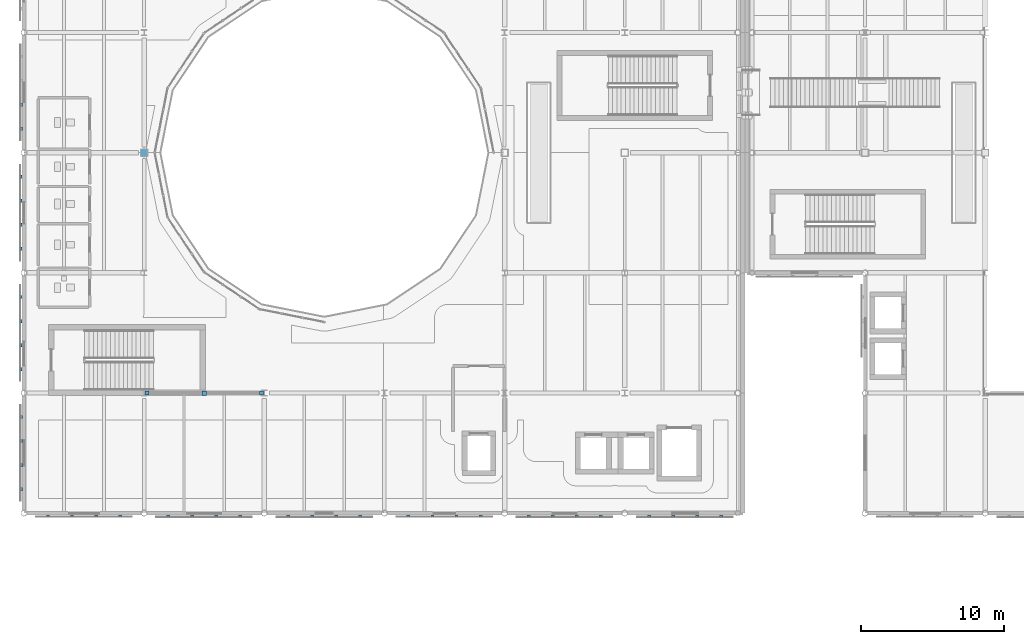
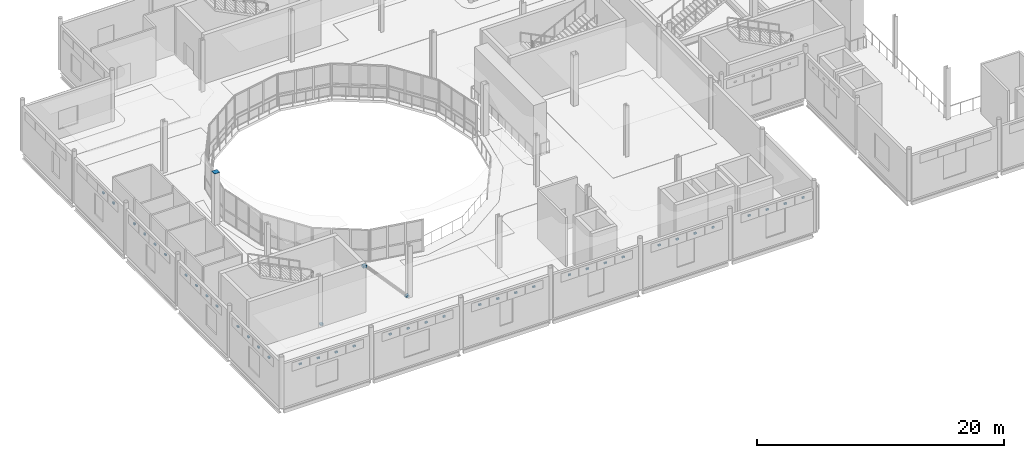
# One storey, part 76 of 104: 42 discrete accessories.
"""IFC4 building model written with IfcOpenShell, lengths in metres."""

from ifc_helpers import new_model, si_unit, direction, frame, origin, origin_2d, place, context, subcontext, project, spatial, rectangle, extrude, material, type_object, element, save


model = new_model("IFC4")

# Units and contexts
model_context = context("Model", 3, precision=1e-05, world=origin(), true_north=direction((0.0, 1.0)))
body_context = subcontext(model_context, "Body", "Model", "MODEL_VIEW")
ifc_project = project(units=[si_unit("LENGTHUNIT", "METRE"), si_unit("AREAUNIT", "SQUARE_METRE"), si_unit("VOLUMEUNIT", "CUBIC_METRE"), si_unit("PLANEANGLEUNIT", "RADIAN"), si_unit("MASSUNIT", "GRAM", prefix="KILO"), si_unit("THERMODYNAMICTEMPERATUREUNIT", "KELVIN")], contexts=[model_context])

# Site, building, storey
site_placement = place(None, origin())
site = spatial("IfcSite", under=ifc_project, at=site_placement, CompositionType="ELEMENT")
building_placement = place(site_placement, origin())
building = spatial("IfcBuilding", under=site, at=building_placement, Name="Lustrewick Department Store", CompositionType="ELEMENT")
storey_placement = place(building_placement, frame((0.0, 0.0, 11.39990234375)))
storey = spatial("IfcBuildingStorey", under=building, at=storey_placement, Name="L03", CompositionType="ELEMENT", Elevation=11.39990234375)

# Discrete accessories
ifc_material_1 = material(Name="Anodized filigree aluminium 6061-T6", Category="aluminium")
discrete_accessory_type_1 = type_object("IfcDiscreteAccessoryType", Name="BRK-FIL", PredefinedType="BRACKET", material=ifc_material_1)
for number, where, z_axis, x_axis, name in (
    (1, (8.219970703125, 70.5673828125, 3.9072265625), (0.0, 0.0, 1.0), (0.0, -1.0, 0.0), "L03 Filigree Stand-Off Bracket 0243"),
    (2, (8.219970703125, 68.88720703125, 3.9072265625), (0.0, 0.0, 1.0), (0.0, -1.0, 0.0), "L03 Filigree Stand-Off Bracket 0244"),
    (3, (8.2099609375, 65.52001953125, 3.9072265625), (0.0, 0.0, 1.0), (0.0, -1.0, 0.0), "L03 Filigree Stand-Off Bracket 0245"),
    (4, (8.2099609375, 63.840087890625, 3.9072265625), (0.0, 0.0, 1.0), (0.0, -1.0, 0.0), "L03 Filigree Stand-Off Bracket 0246"),
    (5, (8.2099609375, 62.159912109375, 3.9072265625), (0.0, 0.0, 1.0), (0.0, -1.0, 0.0), "L03 Filigree Stand-Off Bracket 0247"),
    (6, (8.2099609375, 60.47998046875, 3.9072265625), (0.0, 0.0, 1.0), (0.0, -1.0, 0.0), "L03 Filigree Stand-Off Bracket 0248"),
    (7, (8.199951171875, 57.11279296875, 3.9072265625), (0.0, 0.0, 1.0), (0.0, -1.0, 0.0), "L03 Filigree Stand-Off Bracket 0249"),
    (8, (8.199951171875, 55.4326171875, 3.9072265625), (0.0, 0.0, 1.0), (0.0, -1.0, 0.0), "L03 Filigree Stand-Off Bracket 0250"),
    (9, (8.199951171875, 53.752685546875, 3.9072265625), (0.0, 0.0, 1.0), (0.0, -1.0, 0.0), "L03 Filigree Stand-Off Bracket 0251"),
    (10, (8.199951171875, 52.07275390625, 3.9072265625), (0.0, 0.0, 1.0), (0.0, -1.0, 0.0), "L03 Filigree Stand-Off Bracket 0252"),
    (11, (8.219970703125, 48.727294921875, 3.9072265625), (0.0, 0.0, 1.0), (0.0, -1.0, 0.0), "L03 Filigree Stand-Off Bracket 0253"),
    (12, (8.219970703125, 47.04736328125, 3.9072265625), (0.0, 0.0, 1.0), (0.0, -1.0, 0.0), "L03 Filigree Stand-Off Bracket 0254"),
    (13, (8.219970703125, 45.3671875, 3.9072265625), (0.0, 0.0, 1.0), (0.0, -1.0, 0.0), "L03 Filigree Stand-Off Bracket 0255"),
    (14, (8.219970703125, 43.687255859375, 3.9072265625), (0.0, 0.0, 1.0), (0.0, -1.0, 0.0), "L03 Filigree Stand-Off Bracket 0256"),
    (15, (10.080078125, 41.820068359375, 3.7509765625), (0.0, 0.0, 1.0), (1.0, 0.0, 0.0), "L03 Filigree Stand-Off Bracket 0257"),
    (16, (11.760009765625, 41.820068359375, 3.7509765625), (0.0, 0.0, 1.0), (1.0, 0.0, 0.0), "L03 Filigree Stand-Off Bracket 0258"),
    (17, (13.43994140625, 41.820068359375, 3.7509765625), (0.0, 0.0, 1.0), (1.0, 0.0, 0.0), "L03 Filigree Stand-Off Bracket 0259"),
    (18, (15.1201171875, 41.820068359375, 3.7509765625), (0.0, 0.0, 1.0), (1.0, 0.0, 0.0), "L03 Filigree Stand-Off Bracket 0260"),
    (19, (18.47998046875, 41.81005859375, 3.7509765625), (0.0, 0.0, 1.0), (1.0, 0.0, 0.0), "L03 Filigree Stand-Off Bracket 0261"),
    (20, (20.159912109375, 41.81005859375, 3.7509765625), (0.0, 0.0, 1.0), (1.0, 0.0, 0.0), "L03 Filigree Stand-Off Bracket 0262"),
    (21, (21.840087890625, 41.81005859375, 3.7509765625), (0.0, 0.0, 1.0), (1.0, 0.0, 0.0), "L03 Filigree Stand-Off Bracket 0263"),
    (22, (23.52001953125, 41.81005859375, 3.7509765625), (0.0, 0.0, 1.0), (1.0, 0.0, 0.0), "L03 Filigree Stand-Off Bracket 0264"),
    (23, (26.8798828125, 41.800048828125, 3.7509765625), (0.0, 0.0, 1.0), (1.0, 0.0, 0.0), "L03 Filigree Stand-Off Bracket 0265"),
    (24, (28.56005859375, 41.800048828125, 3.7509765625), (0.0, 0.0, 1.0), (1.0, 0.0, 0.0), "L03 Filigree Stand-Off Bracket 0266"),
    (25, (30.239990234375, 41.800048828125, 3.7509765625), (0.0, 0.0, 1.0), (1.0, 0.0, 0.0), "L03 Filigree Stand-Off Bracket 0267"),
    (26, (31.919921875, 41.800048828125, 3.7509765625), (0.0, 0.0, 1.0), (1.0, 0.0, 0.0), "L03 Filigree Stand-Off Bracket 0268"),
    (27, (35.280029296875, 41.820068359375, 3.7509765625), (0.0, 0.0, 1.0), (1.0, 0.0, 0.0), "L03 Filigree Stand-Off Bracket 0269"),
    (28, (36.9599609375, 41.820068359375, 3.7509765625), (0.0, 0.0, 1.0), (1.0, 0.0, 0.0), "L03 Filigree Stand-Off Bracket 0270"),
    (29, (38.639892578125, 41.820068359375, 3.7509765625), (0.0, 0.0, 1.0), (1.0, 0.0, 0.0), "L03 Filigree Stand-Off Bracket 0271"),
    (30, (40.320068359375, 41.820068359375, 3.7509765625), (0.0, 0.0, 1.0), (1.0, 0.0, 0.0), "L03 Filigree Stand-Off Bracket 0272"),
    (31, (43.679931640625, 41.81005859375, 3.7509765625), (0.0, 0.0, 1.0), (1.0, 0.0, 0.0), "L03 Filigree Stand-Off Bracket 0273"),
    (32, (45.360107421875, 41.81005859375, 3.7509765625), (0.0, 0.0, 1.0), (1.0, 0.0, 0.0), "L03 Filigree Stand-Off Bracket 0274"),
    (33, (47.0400390625, 41.81005859375, 3.7509765625), (0.0, 0.0, 1.0), (1.0, 0.0, 0.0), "L03 Filigree Stand-Off Bracket 0275"),
    (34, (48.719970703125, 41.81005859375, 3.7509765625), (0.0, 0.0, 1.0), (1.0, 0.0, 0.0), "L03 Filigree Stand-Off Bracket 0276"),
    (35, (52.10400390625, 41.800048828125, 3.7509765625), (0.0, 0.0, 1.0), (1.0, 0.0, 0.0), "L03 Filigree Stand-Off Bracket 0277"),
    (36, (53.783935546875, 41.800048828125, 3.7509765625), (0.0, 0.0, 1.0), (1.0, 0.0, 0.0), "L03 Filigree Stand-Off Bracket 0278"),
    (37, (55.464111328125, 41.800048828125, 3.7509765625), (0.0, 0.0, 1.0), (1.0, 0.0, 0.0), "L03 Filigree Stand-Off Bracket 0279"),
    (38, (57.14404296875, 41.800048828125, 3.7509765625), (0.0, 0.0, 1.0), (1.0, 0.0, 0.0), "L03 Filigree Stand-Off Bracket 0280"),
):
    element("IfcDiscreteAccessory", number, at=place(storey_placement, frame(where, z_axis=z_axis, x_axis=x_axis)), inside=storey, type_object=discrete_accessory_type_1, Name=name, PredefinedType="BRACKET", context=body_context, shape_type="SweptSolid", body=[
        extrude(rectangle(XDim=0.239990234375, YDim=0.139892578125, at=origin_2d()), origin(), (0.0, 0.0, 1.0), 0.159912109375),
    ])
ifc_material_2 = material(Name="Structural steel Q355C", Category="steel")
discrete_accessory_type_2 = type_object("IfcDiscreteAccessoryType", Name="GUS-NODE", PredefinedType="BRACKET", material=ifc_material_2)
for number, where, z_axis, x_axis, name in (
    (39, (16.993896484375, 50.39990234375, 0.06005859375), (0.0, 0.0, 1.0), (1.0, 0.0, 0.0), "L03 V1 Brace Base Gusset Plate"),
    (40, (25.006103515625, 50.39990234375, 0.06005859375), (0.0, 0.0, 1.0), (1.0, 0.0, 0.0), "L03 V1 Brace Base Gusset Plate"),
):
    element("IfcDiscreteAccessory", number, at=place(storey_placement, frame(where, z_axis=z_axis, x_axis=x_axis)), inside=storey, type_object=discrete_accessory_type_2, Name=name, PredefinedType="BRACKET", context=body_context, shape_type="SweptSolid", body=[
        extrude(rectangle(XDim=0.280029296875, YDim=0.280029296875, at=origin_2d()), origin(), (0.0, 0.0, 1.0), 0.179931640625),
    ])
discrete_accessory_1_placement = place(storey_placement, frame((21.0, 50.39990234375, 4.38525390625), z_axis=(0.0, 0.0, 1.0), x_axis=(1.0, 0.0, 0.0)))
element("IfcDiscreteAccessory", 41, at=discrete_accessory_1_placement, inside=storey, type_object=discrete_accessory_type_2, Name="L03 V1 Chevron Brace Apex Gusset Plate", PredefinedType="BRACKET", context=body_context, shape_type="SweptSolid", body=[
    extrude(rectangle(XDim=0.320068359375, YDim=0.320068359375, at=origin_2d()), origin(), (0.0, 0.0, 1.0), 0.219970703125),
])
discrete_accessory_type_3 = type_object("IfcDiscreteAccessoryType", Name="ECP-01", PredefinedType="USERDEFINED", material=ifc_material_2)
discrete_accessory_2_placement = place(storey_placement, frame((16.800048828125, 67.199951171875, 5.093994140625), z_axis=(0.0, 0.0, 1.0), x_axis=(1.0, 0.0, 0.0)))
element("IfcDiscreteAccessory", 42, at=discrete_accessory_2_placement, inside=storey, type_object=discrete_accessory_type_3, Name="L03 Welded Hollow-Section End-Cap Plate ECP-01", ObjectType="END_CAP_PLATE", PredefinedType="USERDEFINED", context=body_context, shape_type="SweptSolid", body=[
    extrude(rectangle(XDim=0.5, YDim=0.5, at=origin_2d()), origin(), (0.0, 0.0, 1.0), 0.01611328125),
])

save(model, "model.ifc")
